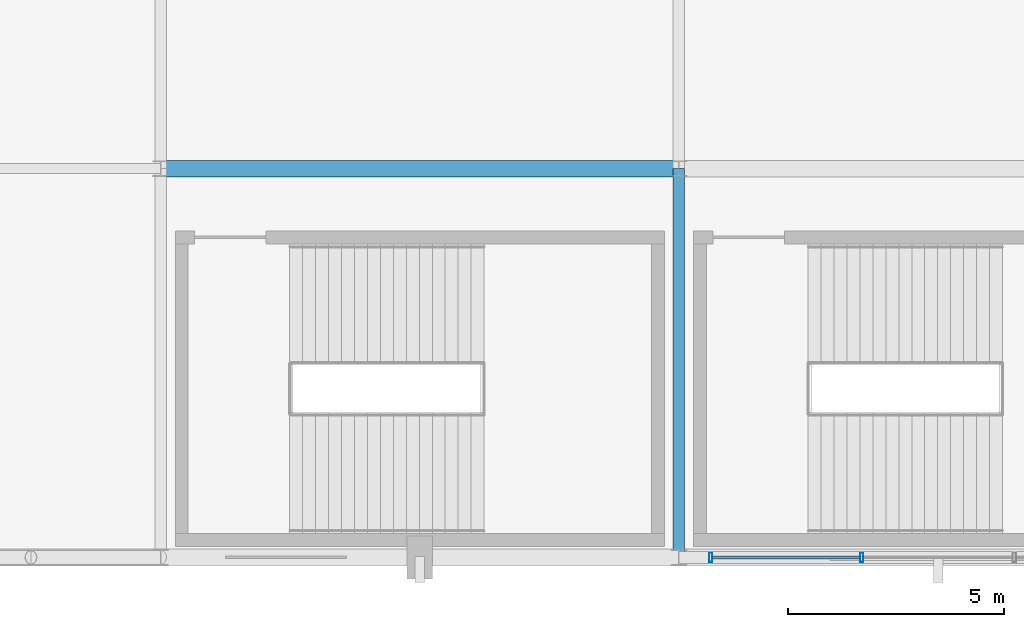
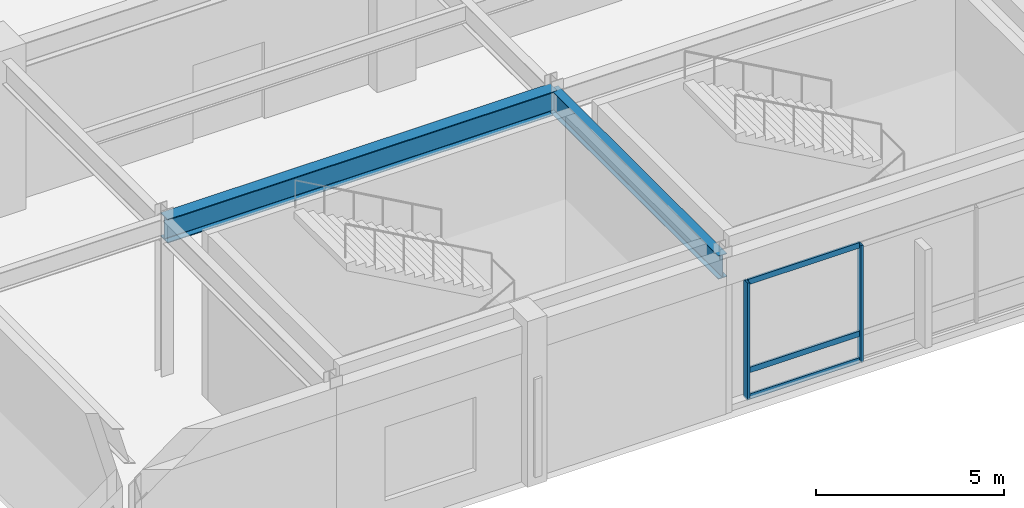
# One storey, part 23 of 100: 5 members, 2 beams, 1 element without a shape of its own.
"""IFC4 building model written with IfcOpenShell, lengths in metres."""

import ifcopenshell
import ifcopenshell.guid

model = None  # the IFC model being written
_history = None  # IfcOwnerHistory: only IFC2X3 demands one
_inside = {}  # id of a spatial element -> (the spatial element, [elements in it])
_under = {}  # id of a project, library or spatial element -> (it, [spatial elements below it])
_declared = {}  # id of a project -> (the project, [libraries it declares])
_typed = {}  # id of a type object -> (the type object, [elements of that type])
_made_of = {}  # id of a material, layer set ... -> (it, [elements and type objects made of it])


def new_model(schema):
    """Start an empty IFC model of exactly this schema.

    Asked for "IFC4X3", IfcOpenShell would pick the latest addendum, in which some entities
    have other attributes; the version numbers below select the first issue.
    IFC2X3 requires an IfcOwnerHistory on every rooted entity: one is made here for all.
    """
    global model, _history
    if schema == "IFC4X3":
        model = ifcopenshell.file(schema_version=(4, 3, 0, 0))
    else:
        model = ifcopenshell.file(schema=schema)
    _inside.clear()
    _under.clear()
    _declared.clear()
    _typed.clear()
    _made_of.clear()
    _history = None
    if model.schema == "IFC2X3":
        org = make("IfcOrganization", Name="unknown")
        user = make(
            "IfcPersonAndOrganization",
            ThePerson=make("IfcPerson", FamilyName="unknown"),
            TheOrganization=org,
        )
        app = make(
            "IfcApplication",
            ApplicationDeveloper=org,
            Version="unknown",
            ApplicationFullName="unknown",
            ApplicationIdentifier="unknown",
        )
        _history = make(
            "IfcOwnerHistory",
            OwningUser=user,
            OwningApplication=app,
            ChangeAction="ADDED",
            CreationDate=0,
        )
    return model


def make(cls, **values):
    """One entity of the class cls with the attributes given. An attribute that is None is left unset."""
    return model.create_entity(
        cls, **{name: value for name, value in values.items() if value is not None}
    )


def rooted(cls, **values):
    """An entity with a GlobalId (a new one), such as an element, a storey or a relation."""
    return make(cls, GlobalId=ifcopenshell.guid.new(), OwnerHistory=_history, **values)


def si_unit(unit_type, name, prefix=None):
    """IfcSIUnit, for example si_unit("LENGTHUNIT", "METRE", prefix="MILLI")."""
    return make("IfcSIUnit", UnitType=unit_type, Prefix=prefix, Name=name)


def assignment(units):
    """IfcUnitAssignment: the units of a project."""
    return None if units is None else make("IfcUnitAssignment", Units=units)


def point(xyz):
    """IfcCartesianPoint."""
    return None if xyz is None else make("IfcCartesianPoint", Coordinates=xyz)


def direction(xyz):
    """IfcDirection."""
    return None if xyz is None else make("IfcDirection", DirectionRatios=xyz)


def frame(location, z_axis=None, x_axis=None):
    """IfcAxis2Placement3D, a coordinate frame: its origin and axes. An axis left out is left unset."""
    return make(
        "IfcAxis2Placement3D",
        Location=point(location),
        Axis=direction(z_axis),
        RefDirection=direction(x_axis),
    )


def frame_2d(location, x_axis=None):
    """IfcAxis2Placement2D, a coordinate frame in the plane: its origin and x axis."""
    return make(
        "IfcAxis2Placement2D", Location=point(location), RefDirection=direction(x_axis)
    )


def origin():
    """The frame at (0, 0, 0) with its axes left unset."""
    return frame((0.0, 0.0, 0.0))


def origin_2d():
    """The frame at (0, 0) in the plane with its x axis left unset."""
    return frame_2d((0.0, 0.0))


def place(relative_to, where):
    """IfcLocalPlacement: puts the frame where relative to a parent placement (None: the world)."""
    return make(
        "IfcLocalPlacement", PlacementRelTo=relative_to, RelativePlacement=where
    )


def context(
    kind, dimensions, precision=None, world=None, true_north=None, identifier=None
):
    """IfcGeometricRepresentationContext, for example the 3D "Model" context."""
    return make(
        "IfcGeometricRepresentationContext",
        ContextIdentifier=identifier,
        ContextType=kind,
        CoordinateSpaceDimension=dimensions,
        Precision=precision,
        WorldCoordinateSystem=world,
        TrueNorth=true_north,
    )


def subcontext(parent, identifier, kind, view, scale=None):
    """IfcGeometricRepresentationSubContext, for example "Body" below "Model"."""
    return make(
        "IfcGeometricRepresentationSubContext",
        ContextIdentifier=identifier,
        ContextType=kind,
        ParentContext=parent,
        TargetScale=scale,
        TargetView=view,
    )


def project(units=None, contexts=None):
    """IfcProject with its units and contexts."""
    return rooted(
        "IfcProject",
        Name="project",
        RepresentationContexts=contexts,
        UnitsInContext=assignment(units),
    )


def spatial(cls, under=None, at=None, **own):
    """A site, building, storey or space (cls), placed at a placement, below another one or the project."""
    s = rooted(cls, ObjectPlacement=at, **own)
    if under is not None:
        _under.setdefault(under.id(), (under, []))[1].append(s)
    return s


def profile(cls, at=None, kind="AREA", **sizes):
    """A parametric profile (cls). Its sizes go by their IFC names, for example OverallWidth=200.0."""
    return make(cls, ProfileType=kind, Position=at, **sizes)


def hollow_rectangle(**sizes):
    """IfcRectangleHollowProfileDef."""
    return profile("IfcRectangleHollowProfileDef", **sizes)


def i_section(**sizes):
    """IfcIShapeProfileDef."""
    return profile("IfcIShapeProfileDef", **sizes)


def extrude(swept, where, along, depth):
    """IfcExtrudedAreaSolid: the profile swept, set in the frame where, extruded along a direction by depth."""
    return make(
        "IfcExtrudedAreaSolid",
        SweptArea=swept,
        Position=where,
        ExtrudedDirection=direction(along),
        Depth=depth,
    )


def shape(context_of_items, identifier, shape_type, items):
    """IfcShapeRepresentation: the items that make up one representation, for example the "Body"."""
    return make(
        "IfcShapeRepresentation",
        ContextOfItems=context_of_items,
        RepresentationIdentifier=identifier,
        RepresentationType=shape_type,
        Items=items,
    )


def material(Name=None, Category=None):
    """IfcMaterial."""
    return make("IfcMaterial", Name=Name, Category=Category)


def material_profile(
    of_material, cross_section, Name=None, Category=None, Priority=None
):
    """IfcMaterialProfile: a cross section and its material."""
    return make(
        "IfcMaterialProfile",
        Name=Name,
        Material=of_material,
        Profile=cross_section,
        Priority=Priority,
        Category=Category,
    )


def profile_set(profiles, Name=None, composite=None):
    """IfcMaterialProfileSet."""
    return make(
        "IfcMaterialProfileSet",
        Name=Name,
        MaterialProfiles=profiles,
        CompositeProfile=composite,
    )


def made_of(thing, what):
    """Note that an element or type object is made of a material, layer set ...; save() writes the relation."""
    if what is not None:
        _made_of.setdefault(what.id(), (what, []))[1].append(thing)
    return thing


def type_object(cls, material=None, **own):
    """A type object (cls), such as IfcWallType, which elements share."""
    return made_of(rooted(cls, **own), material)


def element(
    cls,
    number,
    at=None,
    inside=None,
    cuts=None,
    type_object=None,
    material=None,
    context=None,
    identifier="Body",
    shape_type=None,
    held_by="IfcProductDefinitionShape",
    body=None,
    shapes=None,
    **own,
):
    """One element of the class cls, such as IfcWall. Its Tag is "e" and its number.

    at: its placement. inside: the storey or other place that contains it. cuts: it is an
    opening in that element (IfcRelVoidsElement). A single representation is given by context,
    identifier, shape_type and body (its items); several are given by shapes. held_by: the class
    of the entity that holds the representations. save() writes the other relations.
    """
    e = rooted(cls, Tag="e%d" % number, ObjectPlacement=at, **own)
    if body is not None:
        shapes = [shape(context, identifier, shape_type, body)]
    if shapes is not None:
        e.Representation = make(held_by, Representations=shapes)
    if inside is not None:
        _inside.setdefault(inside.id(), (inside, []))[1].append(e)
    if cuts is not None:
        rooted(
            "IfcRelVoidsElement", RelatingBuildingElement=cuts, RelatedOpeningElement=e
        )
    if type_object is not None:
        _typed.setdefault(type_object.id(), (type_object, []))[1].append(e)
    return made_of(e, material)


def aggregate(whole, parts):
    """IfcRelAggregates: a whole, such as a stair, and the parts it consists of."""
    return rooted("IfcRelAggregates", RelatingObject=whole, RelatedObjects=parts)


def save(model, path):
    """Write the relations noted so far, then the file.

    IfcRelAggregates (storeys below a building ...), IfcRelContainedInSpatialStructure (elements
    in a storey), IfcRelDefinesByType, IfcRelAssociatesMaterial and IfcRelDeclares: one each for
    every whole, place, type object, material and project.
    """
    for whole, parts in _under.values():
        aggregate(whole, parts)
    for where, things in _inside.values():
        rooted(
            "IfcRelContainedInSpatialStructure",
            RelatedElements=things,
            RelatingStructure=where,
        )
    for kind, things in _typed.values():
        rooted("IfcRelDefinesByType", RelatedObjects=things, RelatingType=kind)
    for what, things in _made_of.values():
        rooted("IfcRelAssociatesMaterial", RelatedObjects=things, RelatingMaterial=what)
    for by, libraries in _declared.values():
        rooted("IfcRelDeclares", RelatingContext=by, RelatedDefinitions=libraries)
    model.write(path)


model = new_model("IFC4")

# Units and contexts
model_context = context("Model", 3, precision=1e-05, world=origin(), true_north=direction((0.0, 1.0)))
body_context = subcontext(model_context, "Body", "Model", "MODEL_VIEW")
ifc_project = project(units=[si_unit("LENGTHUNIT", "METRE"), si_unit("AREAUNIT", "SQUARE_METRE"), si_unit("VOLUMEUNIT", "CUBIC_METRE"), si_unit("PLANEANGLEUNIT", "RADIAN"), si_unit("MASSUNIT", "GRAM", prefix="KILO")], contexts=[model_context])

# Site, building, storey
site_placement = place(None, origin())
site = spatial("IfcSite", under=ifc_project, at=site_placement, CompositionType="ELEMENT")
building_placement = place(site_placement, origin())
building = spatial("IfcBuilding", under=site, at=building_placement, Name="Kaldorvane Square Convention Centre", CompositionType="ELEMENT")
storey_placement = place(building_placement, frame((0.0, 0.0, 18.0)))
storey = spatial("IfcBuildingStorey", under=building, at=storey_placement, Name="L03", CompositionType="ELEMENT", Elevation=18.0)

# Beams
ifc_material_1 = material(Name="Steel ASTM A992 Gr. 50", Category="steel")
ifc_material_profile_1 = material_profile(ifc_material_1, i_section(OverallWidth=0.2666015625, OverallDepth=0.762298583984375, WebThickness=0.014404296875, FlangeThickness=0.0216064453125, FilletRadius=0.0164947509765625, at=origin_2d()), Name="W30X116")
ifc_profile_set_1 = profile_set([ifc_material_profile_1], Name="Steel ASTM A992 Gr. 50")
beam_type_1 = type_object("IfcBeamType", Name="BM-GR-W30X116", PredefinedType="BEAM", material=ifc_profile_set_1)
beam_1_placement = place(storey_placement, frame((42.0, 0.0, 4.694793701171875), z_axis=(0.0, 1.0, 0.0), x_axis=(-1.0, 0.0, 0.0)))
element("IfcBeam", 1, at=beam_1_placement, inside=storey, type_object=beam_type_1, Name="Transverse Girder (L03)", PredefinedType="BEAM", context=body_context, shape_type="SweptSolid", body=[
    extrude(i_section(OverallWidth=0.2666015625, OverallDepth=0.762298583984375, WebThickness=0.014404296875, FlangeThickness=0.0216064453125, FilletRadius=0.0164947509765625, at=origin_2d()), origin(), (0.0, 0.0, 1.0), 9.0),
])
ifc_material_profile_2 = material_profile(ifc_material_1, i_section(OverallWidth=0.380706787109375, OverallDepth=0.773193359375, WebThickness=0.0166015625, FlangeThickness=0.027099609375, FilletRadius=0.0164947509765625, at=origin_2d()), Name="W30X173")
ifc_profile_set_2 = profile_set([ifc_material_profile_2], Name="Steel ASTM A992 Gr. 50")
beam_type_2 = type_object("IfcBeamType", Name="BM-GR-W30X173", PredefinedType="BEAM", material=ifc_profile_set_2)
beam_2_placement = place(storey_placement, frame((30.0, 9.0, 4.6894073486328125), z_axis=(1.0, 0.0, 0.0), x_axis=(0.0, 1.0, 0.0)))
element("IfcBeam", 2, at=beam_2_placement, inside=storey, type_object=beam_type_2, Name="Primary Girder (L03)", PredefinedType="BEAM", context=body_context, shape_type="SweptSolid", body=[
    extrude(i_section(OverallWidth=0.380706787109375, OverallDepth=0.773193359375, WebThickness=0.0166015625, FlangeThickness=0.027099609375, FilletRadius=0.0164947509765625, at=origin_2d()), origin(), (0.0, 0.0, 1.0), 12.0),
])

# Curtain wall, members
ifc_material_2 = material(Name="Anodized Aluminum and Low-E Insulated Glazing", Category="aluminium")
curtain_wall_type = type_object("IfcCurtainWallType", Name="CW-UNI-P54-12", PredefinedType="USERDEFINED", material=ifc_material_2)
curtain_wall_placement = place(storey_placement, origin())
curtain_wall = element("IfcCurtainWall", 3, at=curtain_wall_placement, inside=storey, type_object=curtain_wall_type, Name="Curtain Wall CW-03 (L03)", ObjectType="UNITISED GLAZING", PredefinedType="USERDEFINED")
ifc_material_profile_3 = material_profile(ifc_material_2, hollow_rectangle(XDim=0.0749969482421875, YDim=0.220001220703125, WallThickness=0.003997802734375, at=origin_2d()), Name="CWM-220X75")
ifc_profile_set_3 = profile_set([ifc_material_profile_3], Name="Anodized Aluminum and Low-E Insulated Glazing")
member_type_1 = type_object("IfcMemberType", Name="CW-MUL-220", PredefinedType="MULLION", material=ifc_profile_set_3)
member_1_placement = place(storey_placement, frame((42.73750305175781, 0.0, 0.149993896484375), z_axis=(0.0, 0.0, 1.0), x_axis=(1.0, 0.0, 0.0)))
member_1 = element("IfcMember", 4, at=member_1_placement, type_object=member_type_1, Name="CW-03 mullion 1", PredefinedType="MULLION", context=body_context, shape_type="SweptSolid", body=[
    extrude(hollow_rectangle(XDim=0.0749969482421875, YDim=0.220001220703125, WallThickness=0.003997802734375, at=origin_2d()), origin(), (0.0, 0.0, 1.0), 3.8100128173828125),
])
member_2_placement = place(storey_placement, frame((46.23333740234375, 0.0, 0.149993896484375), z_axis=(0.0, 0.0, 1.0), x_axis=(1.0, 0.0, 0.0)))
member_2 = element("IfcMember", 5, at=member_2_placement, type_object=member_type_1, Name="CW-03 mullion 2", PredefinedType="MULLION", context=body_context, shape_type="SweptSolid", body=[
    extrude(hollow_rectangle(XDim=0.0749969482421875, YDim=0.220001220703125, WallThickness=0.003997802734375, at=origin_2d()), origin(), (0.0, 0.0, 1.0), 3.8100128173828125),
])
ifc_material_profile_4 = material_profile(ifc_material_2, hollow_rectangle(XDim=0.06500244140625, YDim=0.17999267578125, WallThickness=0.0034942626953125, at=origin_2d()), Name="CWT-180X65")
ifc_profile_set_4 = profile_set([ifc_material_profile_4], Name="Anodized Aluminum and Low-E Insulated Glazing")
member_type_2 = type_object("IfcMemberType", Name="CW-TRN-180", PredefinedType="USERDEFINED", material=ifc_profile_set_4)
member_3_placement = place(storey_placement, frame((42.774993896484375, 0.0, 0.1824951171875), z_axis=(1.0, 0.0, 0.0), x_axis=(0.0, 1.0, 0.0)))
member_3 = element("IfcMember", 6, at=member_3_placement, type_object=member_type_2, Name="CW-03 transom 1.1", ObjectType="TRANSOM", PredefinedType="USERDEFINED", context=body_context, shape_type="SweptSolid", body=[
    extrude(hollow_rectangle(XDim=0.06500244140625, YDim=0.17999267578125, WallThickness=0.0034942626953125, at=origin_2d()), origin(), (0.0, 0.0, 1.0), 3.42083740234375),
])
member_4_placement = place(storey_placement, frame((42.774993896484375, 0.0, 1.0500030517578125), z_axis=(1.0, 0.0, 0.0), x_axis=(0.0, 1.0, 0.0)))
member_4 = element("IfcMember", 7, at=member_4_placement, type_object=member_type_2, Name="CW-03 transom 1.2", ObjectType="TRANSOM", PredefinedType="USERDEFINED", context=body_context, shape_type="SweptSolid", body=[
    extrude(hollow_rectangle(XDim=0.06500244140625, YDim=0.17999267578125, WallThickness=0.0034942626953125, at=origin_2d()), origin(), (0.0, 0.0, 1.0), 3.42083740234375),
])
member_5_placement = place(storey_placement, frame((42.774993896484375, 0.0, 3.9275054931640625), z_axis=(1.0, 0.0, 0.0), x_axis=(0.0, 1.0, 0.0)))
member_5 = element("IfcMember", 8, at=member_5_placement, type_object=member_type_2, Name="CW-03 transom 1.3", ObjectType="TRANSOM", PredefinedType="USERDEFINED", context=body_context, shape_type="SweptSolid", body=[
    extrude(hollow_rectangle(XDim=0.06500244140625, YDim=0.17999267578125, WallThickness=0.0034942626953125, at=origin_2d()), origin(), (0.0, 0.0, 1.0), 3.42083740234375),
])
aggregate(curtain_wall, [member_1, member_2, member_3, member_4, member_5])

save(model, "model.ifc")
